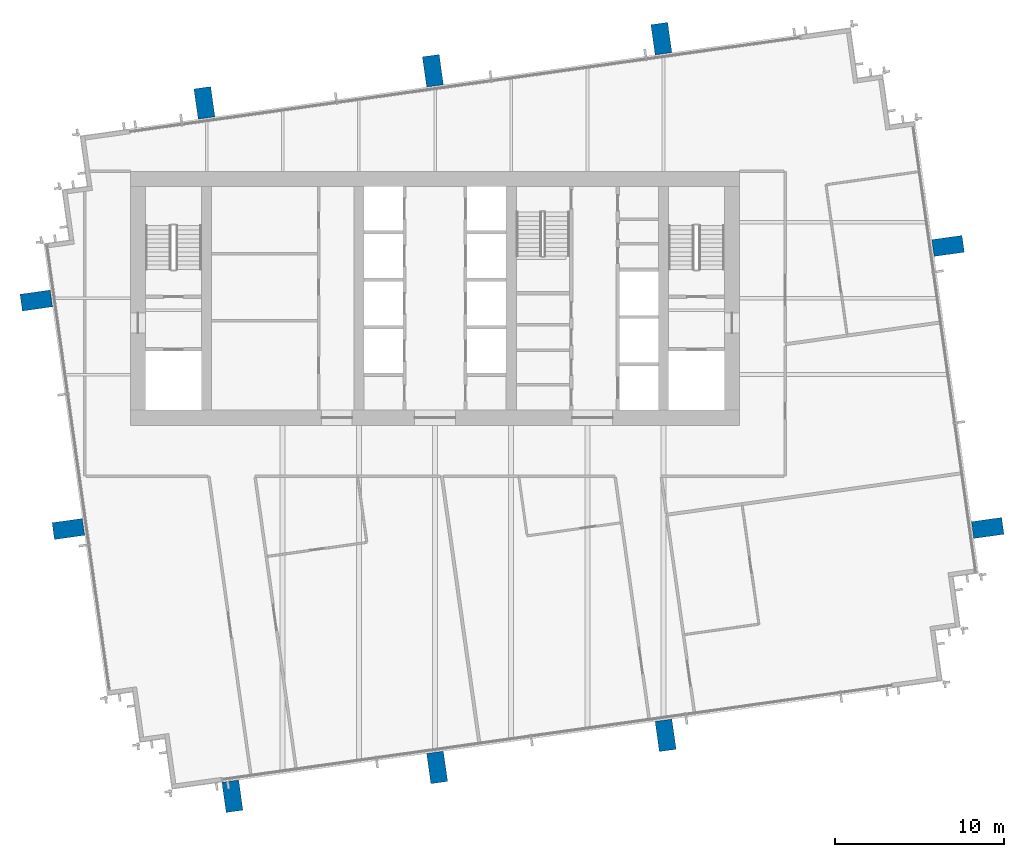
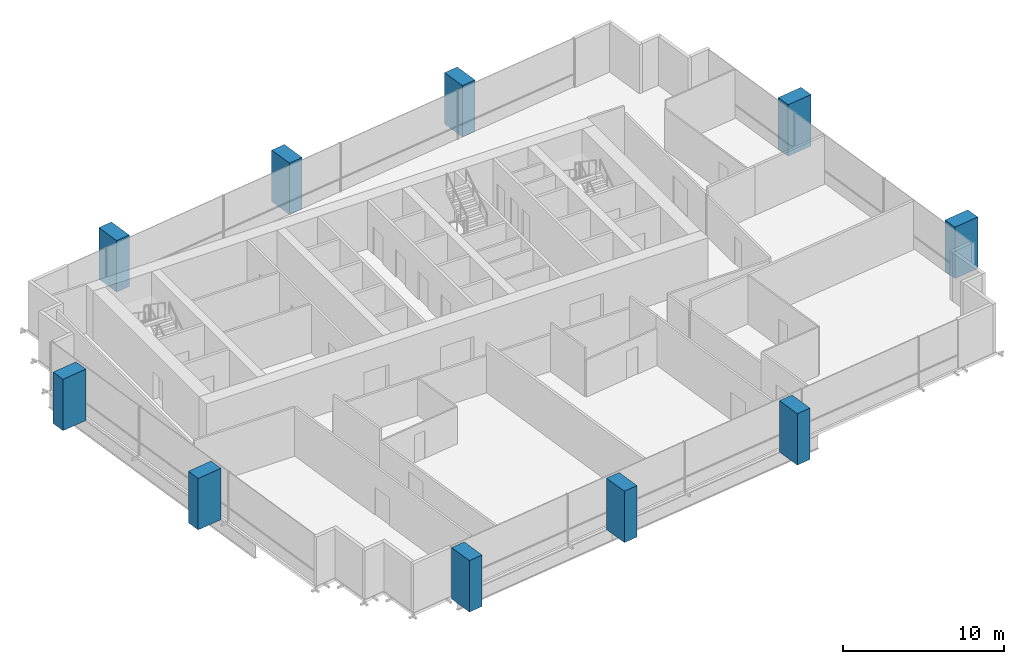
# One storey, part 1 of 13: 10 columns.
"""IFC4 building model written with IfcOpenShell, lengths in metres."""

from ifc_helpers import new_model, si_unit, direction, frame, origin, origin_2d, place, context, subcontext, project, spatial, rectangle, extrude, material, material_profile, profile_set, type_object, element, save


model = new_model("IFC4")

# Units and contexts
model_context = context("Model", 3, precision=1e-05, world=origin(), true_north=direction((0.0, 1.0)))
body_context = subcontext(model_context, "Body", "Model", "MODEL_VIEW")
ifc_project = project(units=[si_unit("LENGTHUNIT", "METRE"), si_unit("AREAUNIT", "SQUARE_METRE"), si_unit("VOLUMEUNIT", "CUBIC_METRE"), si_unit("PLANEANGLEUNIT", "RADIAN"), si_unit("MASSUNIT", "GRAM", prefix="KILO")], contexts=[model_context])

# Site, building, storey
site_placement = place(None, origin())
site = spatial("IfcSite", under=ifc_project, at=site_placement, CompositionType="ELEMENT")
building_placement = place(site_placement, origin())
building = spatial("IfcBuilding", under=site, at=building_placement, Name="Rattan Terrace Tower", CompositionType="ELEMENT")
storey_placement = place(building_placement, frame((0.0, 0.0, 240.800048828125)))
storey = spatial("IfcBuildingStorey", under=building, at=storey_placement, Name="L55", CompositionType="ELEMENT", Elevation=240.800048828125)

# Columns
ifc_material = material(Name="Concrete C40/50", Category="concrete")
ifc_material_profile = material_profile(ifc_material, rectangle(XDim=1.0, YDim=1.800048828125, at=origin_2d()), Name="CFT 1800x1000")
ifc_profile_set = profile_set([ifc_material_profile], Name="Concrete C40/50")
column_type = type_object("IfcColumnType", Name="Frame exoskeleton column CFT 1800x1000", PredefinedType="COLUMN", material=ifc_profile_set)
for number, where, z_axis, x_axis, name in (
    (1, (-11.970947265625, -29.416015625, -0.199951171875), (0.0, 0.0, 1.0), (0.990268068742, 0.13917310096, 0.0), "exo-L55-001"),
    (2, (0.125, -27.716064453125, -0.199951171875), (0.0, 0.0, 1.0), (0.990268068742, 0.13917310096, 0.0), "exo-L55-002"),
    (3, (13.625, -25.818115234375, -0.199951171875), (0.0, 0.0, 1.0), (0.990268068742, 0.13917310096, 0.0), "exo-L55-003"),
    (4, (-21.6630859375, -13.625, -0.199951171875), (0.0, 0.0, 1.0), (-0.139190384377, 0.990265639562, 0.0), "exo-L55-004"),
    (5, (32.657958984375, -13.56494140625, -0.199951171875), (0.0, 0.0, 1.0), (-0.139190384377, 0.990265639562, 0.0), "exo-L55-005"),
    (6, (-23.56103515625, -0.125, -0.199951171875), (0.0, 0.0, 1.0), (-0.139190384377, 0.990265639562, 0.0), "exo-L55-006"),
    (7, (30.31494140625, 3.10009765625, -0.199951171875), (0.0, 0.0, 1.0), (-0.139190384377, 0.990265639562, 0.0), "exo-L55-007"),
    (8, (-13.625, 11.552978515625, -0.199951171875), (0.0, 0.0, 1.0), (0.990268068742, 0.13917310096, 0.0), "exo-L55-008"),
    (9, (-0.125, 13.450927734375, -0.199951171875), (0.0, 0.0, 1.0), (0.990268068742, 0.13917310096, 0.0), "exo-L55-009"),
    (10, (13.375, 15.347900390625, -0.199951171875), (0.0, 0.0, 1.0), (0.990268068742, 0.13917310096, 0.0), "exo-L55-010"),
):
    element("IfcColumn", number, at=place(storey_placement, frame(where, z_axis=z_axis, x_axis=x_axis)), inside=storey, type_object=column_type, Name=name, PredefinedType="COLUMN", context=body_context, shape_type="SweptSolid", body=[
        extrude(rectangle(XDim=1.0, YDim=1.800048828125, at=origin_2d()), origin(), (0.0, 0.0, 1.0), 3.89990234375),
    ])

save(model, "model.ifc")
